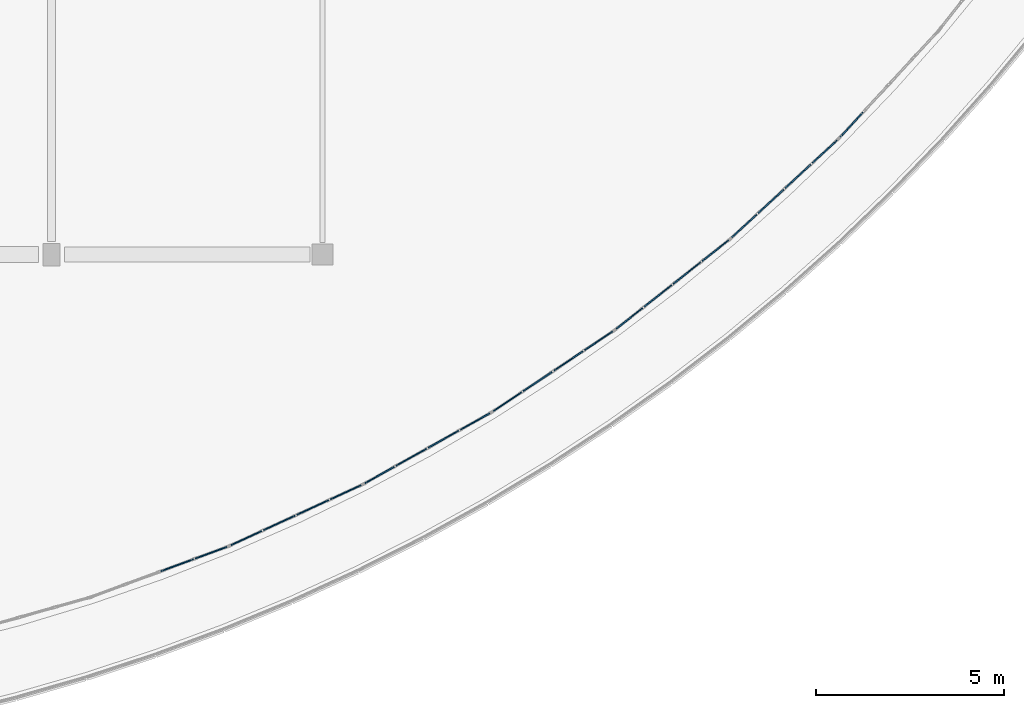
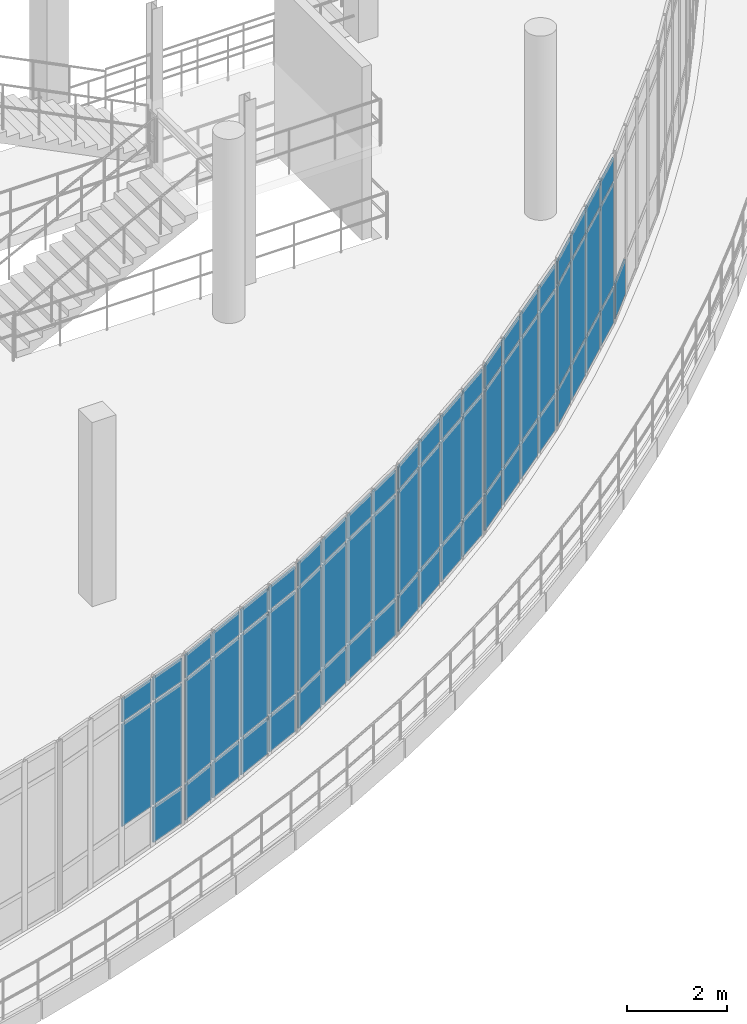
# One storey, part 95 of 134: 66 plates, 7 elements without a shape of their own.
"""IFC4 building model written with IfcOpenShell, lengths in metres."""

import ifcopenshell
import ifcopenshell.guid

model = None  # the IFC model being written
_history = None  # IfcOwnerHistory: only IFC2X3 demands one
_inside = {}  # id of a spatial element -> (the spatial element, [elements in it])
_under = {}  # id of a project, library or spatial element -> (it, [spatial elements below it])
_declared = {}  # id of a project -> (the project, [libraries it declares])
_typed = {}  # id of a type object -> (the type object, [elements of that type])
_made_of = {}  # id of a material, layer set ... -> (it, [elements and type objects made of it])


def new_model(schema):
    """Start an empty IFC model of exactly this schema.

    Asked for "IFC4X3", IfcOpenShell would pick the latest addendum, in which some entities
    have other attributes; the version numbers below select the first issue.
    IFC2X3 requires an IfcOwnerHistory on every rooted entity: one is made here for all.
    """
    global model, _history
    if schema == "IFC4X3":
        model = ifcopenshell.file(schema_version=(4, 3, 0, 0))
    else:
        model = ifcopenshell.file(schema=schema)
    _inside.clear()
    _under.clear()
    _declared.clear()
    _typed.clear()
    _made_of.clear()
    _history = None
    if model.schema == "IFC2X3":
        org = make("IfcOrganization", Name="unknown")
        user = make(
            "IfcPersonAndOrganization",
            ThePerson=make("IfcPerson", FamilyName="unknown"),
            TheOrganization=org,
        )
        app = make(
            "IfcApplication",
            ApplicationDeveloper=org,
            Version="unknown",
            ApplicationFullName="unknown",
            ApplicationIdentifier="unknown",
        )
        _history = make(
            "IfcOwnerHistory",
            OwningUser=user,
            OwningApplication=app,
            ChangeAction="ADDED",
            CreationDate=0,
        )
    return model


def make(cls, **values):
    """One entity of the class cls with the attributes given. An attribute that is None is left unset."""
    return model.create_entity(
        cls, **{name: value for name, value in values.items() if value is not None}
    )


def rooted(cls, **values):
    """An entity with a GlobalId (a new one), such as an element, a storey or a relation."""
    return make(cls, GlobalId=ifcopenshell.guid.new(), OwnerHistory=_history, **values)


def si_unit(unit_type, name, prefix=None):
    """IfcSIUnit, for example si_unit("LENGTHUNIT", "METRE", prefix="MILLI")."""
    return make("IfcSIUnit", UnitType=unit_type, Prefix=prefix, Name=name)


def assignment(units):
    """IfcUnitAssignment: the units of a project."""
    return None if units is None else make("IfcUnitAssignment", Units=units)


def point(xyz):
    """IfcCartesianPoint."""
    return None if xyz is None else make("IfcCartesianPoint", Coordinates=xyz)


def direction(xyz):
    """IfcDirection."""
    return None if xyz is None else make("IfcDirection", DirectionRatios=xyz)


def frame(location, z_axis=None, x_axis=None):
    """IfcAxis2Placement3D, a coordinate frame: its origin and axes. An axis left out is left unset."""
    return make(
        "IfcAxis2Placement3D",
        Location=point(location),
        Axis=direction(z_axis),
        RefDirection=direction(x_axis),
    )


def frame_2d(location, x_axis=None):
    """IfcAxis2Placement2D, a coordinate frame in the plane: its origin and x axis."""
    return make(
        "IfcAxis2Placement2D", Location=point(location), RefDirection=direction(x_axis)
    )


def origin():
    """The frame at (0, 0, 0) with its axes left unset."""
    return frame((0.0, 0.0, 0.0))


def origin_2d():
    """The frame at (0, 0) in the plane with its x axis left unset."""
    return frame_2d((0.0, 0.0))


def place(relative_to, where):
    """IfcLocalPlacement: puts the frame where relative to a parent placement (None: the world)."""
    return make(
        "IfcLocalPlacement", PlacementRelTo=relative_to, RelativePlacement=where
    )


def context(
    kind, dimensions, precision=None, world=None, true_north=None, identifier=None
):
    """IfcGeometricRepresentationContext, for example the 3D "Model" context."""
    return make(
        "IfcGeometricRepresentationContext",
        ContextIdentifier=identifier,
        ContextType=kind,
        CoordinateSpaceDimension=dimensions,
        Precision=precision,
        WorldCoordinateSystem=world,
        TrueNorth=true_north,
    )


def subcontext(parent, identifier, kind, view, scale=None):
    """IfcGeometricRepresentationSubContext, for example "Body" below "Model"."""
    return make(
        "IfcGeometricRepresentationSubContext",
        ContextIdentifier=identifier,
        ContextType=kind,
        ParentContext=parent,
        TargetScale=scale,
        TargetView=view,
    )


def project(units=None, contexts=None):
    """IfcProject with its units and contexts."""
    return rooted(
        "IfcProject",
        Name="project",
        RepresentationContexts=contexts,
        UnitsInContext=assignment(units),
    )


def spatial(cls, under=None, at=None, **own):
    """A site, building, storey or space (cls), placed at a placement, below another one or the project."""
    s = rooted(cls, ObjectPlacement=at, **own)
    if under is not None:
        _under.setdefault(under.id(), (under, []))[1].append(s)
    return s


def profile(cls, at=None, kind="AREA", **sizes):
    """A parametric profile (cls). Its sizes go by their IFC names, for example OverallWidth=200.0."""
    return make(cls, ProfileType=kind, Position=at, **sizes)


def rectangle(**sizes):
    """IfcRectangleProfileDef."""
    return profile("IfcRectangleProfileDef", **sizes)


def extrude(swept, where, along, depth):
    """IfcExtrudedAreaSolid: the profile swept, set in the frame where, extruded along a direction by depth."""
    return make(
        "IfcExtrudedAreaSolid",
        SweptArea=swept,
        Position=where,
        ExtrudedDirection=direction(along),
        Depth=depth,
    )


def shape(context_of_items, identifier, shape_type, items):
    """IfcShapeRepresentation: the items that make up one representation, for example the "Body"."""
    return make(
        "IfcShapeRepresentation",
        ContextOfItems=context_of_items,
        RepresentationIdentifier=identifier,
        RepresentationType=shape_type,
        Items=items,
    )


def material(Name=None, Category=None):
    """IfcMaterial."""
    return make("IfcMaterial", Name=Name, Category=Category)


def layer(
    of_material, thickness, ventilated=None, Name=None, Category=None, Priority=None
):
    """IfcMaterialLayer: one layer of a wall or slab, of a material (None: an air gap)."""
    return make(
        "IfcMaterialLayer",
        Material=of_material,
        LayerThickness=thickness,
        IsVentilated=ventilated,
        Name=Name,
        Category=Category,
        Priority=Priority,
    )


def layer_set(layers, Name=None):
    """IfcMaterialLayerSet."""
    return make("IfcMaterialLayerSet", MaterialLayers=layers, LayerSetName=Name)


def made_of(thing, what):
    """Note that an element or type object is made of a material, layer set ...; save() writes the relation."""
    if what is not None:
        _made_of.setdefault(what.id(), (what, []))[1].append(thing)
    return thing


def type_object(cls, material=None, **own):
    """A type object (cls), such as IfcWallType, which elements share."""
    return made_of(rooted(cls, **own), material)


def element(
    cls,
    number,
    at=None,
    inside=None,
    cuts=None,
    type_object=None,
    material=None,
    context=None,
    identifier="Body",
    shape_type=None,
    held_by="IfcProductDefinitionShape",
    body=None,
    shapes=None,
    **own,
):
    """One element of the class cls, such as IfcWall. Its Tag is "e" and its number.

    at: its placement. inside: the storey or other place that contains it. cuts: it is an
    opening in that element (IfcRelVoidsElement). A single representation is given by context,
    identifier, shape_type and body (its items); several are given by shapes. held_by: the class
    of the entity that holds the representations. save() writes the other relations.
    """
    e = rooted(cls, Tag="e%d" % number, ObjectPlacement=at, **own)
    if body is not None:
        shapes = [shape(context, identifier, shape_type, body)]
    if shapes is not None:
        e.Representation = make(held_by, Representations=shapes)
    if inside is not None:
        _inside.setdefault(inside.id(), (inside, []))[1].append(e)
    if cuts is not None:
        rooted(
            "IfcRelVoidsElement", RelatingBuildingElement=cuts, RelatedOpeningElement=e
        )
    if type_object is not None:
        _typed.setdefault(type_object.id(), (type_object, []))[1].append(e)
    return made_of(e, material)


def aggregate(whole, parts):
    """IfcRelAggregates: a whole, such as a stair, and the parts it consists of."""
    return rooted("IfcRelAggregates", RelatingObject=whole, RelatedObjects=parts)


def save(model, path):
    """Write the relations noted so far, then the file.

    IfcRelAggregates (storeys below a building ...), IfcRelContainedInSpatialStructure (elements
    in a storey), IfcRelDefinesByType, IfcRelAssociatesMaterial and IfcRelDeclares: one each for
    every whole, place, type object, material and project.
    """
    for whole, parts in _under.values():
        aggregate(whole, parts)
    for where, things in _inside.values():
        rooted(
            "IfcRelContainedInSpatialStructure",
            RelatedElements=things,
            RelatingStructure=where,
        )
    for kind, things in _typed.values():
        rooted("IfcRelDefinesByType", RelatedObjects=things, RelatingType=kind)
    for what, things in _made_of.values():
        rooted("IfcRelAssociatesMaterial", RelatedObjects=things, RelatingMaterial=what)
    for by, libraries in _declared.values():
        rooted("IfcRelDeclares", RelatingContext=by, RelatedDefinitions=libraries)
    model.write(path)


model = new_model("IFC4")

# Units and contexts
model_context = context("Model", 3, precision=1e-05, world=origin(), true_north=direction((0.0, 1.0)))
body_context = subcontext(model_context, "Body", "Model", "MODEL_VIEW")
ifc_project = project(units=[si_unit("LENGTHUNIT", "METRE"), si_unit("AREAUNIT", "SQUARE_METRE"), si_unit("VOLUMEUNIT", "CUBIC_METRE"), si_unit("PLANEANGLEUNIT", "RADIAN"), si_unit("MASSUNIT", "GRAM", prefix="KILO")], contexts=[model_context])

# Site, building, storey
site_placement = place(None, origin())
site = spatial("IfcSite", under=ifc_project, at=site_placement, CompositionType="ELEMENT")
building_placement = place(site_placement, origin())
building = spatial("IfcBuilding", under=site, at=building_placement, Name="Kalluvel Institute of Natural Sciences", CompositionType="ELEMENT")
storey_placement = place(building_placement, frame((0.0, 0.0, 5.39990234375)))
storey = spatial("IfcBuildingStorey", under=building, at=storey_placement, Name="L01", CompositionType="ELEMENT", Elevation=5.39990234375)

# Curtain wall, plates
ifc_material_1 = material(Name="Aluminium AW-6063 T6", Category="aluminium")
curtain_wall_type = type_object("IfcCurtainWallType", Name="CW-ATR-ARC", PredefinedType="USERDEFINED", material=ifc_material_1)
curtain_wall_1_placement = place(storey_placement, origin())
curtain_wall_1 = element("IfcCurtainWall", 1, at=curtain_wall_1_placement, inside=storey, type_object=curtain_wall_type, Name="L01 Gothic lancet curtain wall CWA-L01-X510-Y553", ObjectType="UNITISED LANCET FACADE", PredefinedType="USERDEFINED")
ifc_material_2 = material(Name="Solar-Control Low-E Laminated Glass", Category="glass")
ifc_layer = layer(ifc_material_2, 0.035888671875)
ifc_layer_set = layer_set([ifc_layer], Name="Solar-Control Low-E Laminated Glass")
plate_type = type_object("IfcPlateType", Name="CWP-DGU-36", PredefinedType="CURTAIN_PANEL", material=ifc_layer_set)
plate_1_placement = place(storey_placement, frame((53.335205078125, 56.14306640625, 0.97998046875), z_axis=(0.0, 0.0, 1.0), x_axis=(0.938189357766, 0.346122419058, 0.0)))
plate_1 = element("IfcPlate", 2, at=plate_1_placement, type_object=plate_type, Name="CW-05 panel 3.2", PredefinedType="CURTAIN_PANEL", context=body_context, shape_type="SweptSolid", body=[
    extrude(rectangle(XDim=0.92041015625, YDim=0.035888671875, at=origin_2d()), origin(), (0.0, 0.0, 1.0), 2.489990234375),
])
plate_2_placement = place(storey_placement, frame((53.335205078125, 56.14306640625, 3.530029296875), z_axis=(0.0, 0.0, 1.0), x_axis=(0.938189357766, 0.346122419058, 0.0)))
plate_2 = element("IfcPlate", 3, at=plate_2_placement, type_object=plate_type, Name="CW-05 panel 3.3", PredefinedType="CURTAIN_PANEL", context=body_context, shape_type="SweptSolid", body=[
    extrude(rectangle(XDim=0.92041015625, YDim=0.035888671875, at=origin_2d()), origin(), (0.0, 0.0, 1.0), 0.56005859375),
])
plate_3_placement = place(storey_placement, frame((54.240966796875, 56.477294921875, 0.06005859375), z_axis=(0.0, 0.0, 1.0), x_axis=(0.938189357766, 0.346122419058, 0.0)))
plate_3 = element("IfcPlate", 4, at=plate_3_placement, type_object=plate_type, Name="CW-05 panel 4.1", PredefinedType="CURTAIN_PANEL", context=body_context, shape_type="SweptSolid", body=[
    extrude(rectangle(XDim=0.890625, YDim=0.035888671875, at=origin_2d()), origin(), (0.0, 0.0, 1.0), 0.860107421875),
])
plate_4_placement = place(storey_placement, frame((54.240966796875, 56.477294921875, 0.97998046875), z_axis=(0.0, 0.0, 1.0), x_axis=(0.938189357766, 0.346122419058, 0.0)))
plate_4 = element("IfcPlate", 5, at=plate_4_placement, type_object=plate_type, Name="CW-05 panel 4.2", PredefinedType="CURTAIN_PANEL", context=body_context, shape_type="SweptSolid", body=[
    extrude(rectangle(XDim=0.890625, YDim=0.035888671875, at=origin_2d()), origin(), (0.0, 0.0, 1.0), 2.489990234375),
])
plate_5_placement = place(storey_placement, frame((54.240966796875, 56.477294921875, 3.530029296875), z_axis=(0.0, 0.0, 1.0), x_axis=(0.938189357766, 0.346122419058, 0.0)))
plate_5 = element("IfcPlate", 6, at=plate_5_placement, type_object=plate_type, Name="CW-05 panel 4.3", PredefinedType="CURTAIN_PANEL", context=body_context, shape_type="SweptSolid", body=[
    extrude(rectangle(XDim=0.890625, YDim=0.035888671875, at=origin_2d()), origin(), (0.0, 0.0, 1.0), 0.56005859375),
])
aggregate(curtain_wall_1, [plate_1, plate_2, plate_3, plate_4, plate_5])

curtain_wall_2_placement = place(storey_placement, origin())
curtain_wall_2 = element("IfcCurtainWall", 7, at=curtain_wall_2_placement, inside=storey, type_object=curtain_wall_type, Name="L01 Gothic lancet curtain wall CWA-L01-X547-Y567", ObjectType="UNITISED LANCET FACADE", PredefinedType="USERDEFINED")
plate_6_placement = place(storey_placement, frame((55.173828125, 56.86376953125, 0.06005859375), z_axis=(0.0, 0.0, 1.0), x_axis=(0.908144365277, 0.418657153068, 0.0)))
plate_6 = element("IfcPlate", 8, at=plate_6_placement, type_object=plate_type, Name="CW-05 panel 1.1", PredefinedType="CURTAIN_PANEL", context=body_context, shape_type="SweptSolid", body=[
    extrude(rectangle(XDim=0.890625, YDim=0.035888671875, at=origin_2d()), origin(), (0.0, 0.0, 1.0), 0.860107421875),
])
plate_7_placement = place(storey_placement, frame((55.173828125, 56.86376953125, 0.97998046875), z_axis=(0.0, 0.0, 1.0), x_axis=(0.908144365277, 0.418657153068, 0.0)))
plate_7 = element("IfcPlate", 9, at=plate_7_placement, type_object=plate_type, Name="CW-05 panel 1.2", PredefinedType="CURTAIN_PANEL", context=body_context, shape_type="SweptSolid", body=[
    extrude(rectangle(XDim=0.890625, YDim=0.035888671875, at=origin_2d()), origin(), (0.0, 0.0, 1.0), 2.489990234375),
])
plate_8_placement = place(storey_placement, frame((55.173828125, 56.86376953125, 3.530029296875), z_axis=(0.0, 0.0, 1.0), x_axis=(0.908144365277, 0.418657153068, 0.0)))
plate_8 = element("IfcPlate", 10, at=plate_8_placement, type_object=plate_type, Name="CW-05 panel 1.3", PredefinedType="CURTAIN_PANEL", context=body_context, shape_type="SweptSolid", body=[
    extrude(rectangle(XDim=0.890625, YDim=0.035888671875, at=origin_2d()), origin(), (0.0, 0.0, 1.0), 0.56005859375),
])
plate_9_placement = place(storey_placement, frame((56.05078125, 57.26806640625, 0.06005859375), z_axis=(0.0, 0.0, 1.0), x_axis=(0.908144365277, 0.418657153068, 0.0)))
plate_9 = element("IfcPlate", 11, at=plate_9_placement, type_object=plate_type, Name="CW-05 panel 2.1", PredefinedType="CURTAIN_PANEL", context=body_context, shape_type="SweptSolid", body=[
    extrude(rectangle(XDim=0.92041015625, YDim=0.035888671875, at=origin_2d()), origin(), (0.0, 0.0, 1.0), 0.860107421875),
])
plate_10_placement = place(storey_placement, frame((56.05078125, 57.26806640625, 0.97998046875), z_axis=(0.0, 0.0, 1.0), x_axis=(0.908144365277, 0.418657153068, 0.0)))
plate_10 = element("IfcPlate", 12, at=plate_10_placement, type_object=plate_type, Name="CW-05 panel 2.2", PredefinedType="CURTAIN_PANEL", context=body_context, shape_type="SweptSolid", body=[
    extrude(rectangle(XDim=0.92041015625, YDim=0.035888671875, at=origin_2d()), origin(), (0.0, 0.0, 1.0), 2.489990234375),
])
plate_11_placement = place(storey_placement, frame((56.05078125, 57.26806640625, 3.530029296875), z_axis=(0.0, 0.0, 1.0), x_axis=(0.908144365277, 0.418657153068, 0.0)))
plate_11 = element("IfcPlate", 13, at=plate_11_placement, type_object=plate_type, Name="CW-05 panel 2.3", PredefinedType="CURTAIN_PANEL", context=body_context, shape_type="SweptSolid", body=[
    extrude(rectangle(XDim=0.92041015625, YDim=0.035888671875, at=origin_2d()), origin(), (0.0, 0.0, 1.0), 0.56005859375),
])
plate_12_placement = place(storey_placement, frame((56.941162109375, 57.678466796875, 0.06005859375), z_axis=(0.0, 0.0, 1.0), x_axis=(0.908144365277, 0.418657153068, 0.0)))
plate_12 = element("IfcPlate", 14, at=plate_12_placement, type_object=plate_type, Name="CW-05 panel 3.1", PredefinedType="CURTAIN_PANEL", context=body_context, shape_type="SweptSolid", body=[
    extrude(rectangle(XDim=0.92041015625, YDim=0.035888671875, at=origin_2d()), origin(), (0.0, 0.0, 1.0), 0.860107421875),
])
plate_13_placement = place(storey_placement, frame((56.941162109375, 57.678466796875, 0.97998046875), z_axis=(0.0, 0.0, 1.0), x_axis=(0.908144365277, 0.418657153068, 0.0)))
plate_13 = element("IfcPlate", 15, at=plate_13_placement, type_object=plate_type, Name="CW-05 panel 3.2", PredefinedType="CURTAIN_PANEL", context=body_context, shape_type="SweptSolid", body=[
    extrude(rectangle(XDim=0.92041015625, YDim=0.035888671875, at=origin_2d()), origin(), (0.0, 0.0, 1.0), 2.489990234375),
])
plate_14_placement = place(storey_placement, frame((56.941162109375, 57.678466796875, 3.530029296875), z_axis=(0.0, 0.0, 1.0), x_axis=(0.908144365277, 0.418657153068, 0.0)))
plate_14 = element("IfcPlate", 16, at=plate_14_placement, type_object=plate_type, Name="CW-05 panel 3.3", PredefinedType="CURTAIN_PANEL", context=body_context, shape_type="SweptSolid", body=[
    extrude(rectangle(XDim=0.92041015625, YDim=0.035888671875, at=origin_2d()), origin(), (0.0, 0.0, 1.0), 0.56005859375),
])
plate_15_placement = place(storey_placement, frame((57.81787109375, 58.082763671875, 0.06005859375), z_axis=(0.0, 0.0, 1.0), x_axis=(0.908144365277, 0.418657153068, 0.0)))
plate_15 = element("IfcPlate", 17, at=plate_15_placement, type_object=plate_type, Name="CW-05 panel 4.1", PredefinedType="CURTAIN_PANEL", context=body_context, shape_type="SweptSolid", body=[
    extrude(rectangle(XDim=0.890625, YDim=0.035888671875, at=origin_2d()), origin(), (0.0, 0.0, 1.0), 0.860107421875),
])
plate_16_placement = place(storey_placement, frame((57.81787109375, 58.082763671875, 0.97998046875), z_axis=(0.0, 0.0, 1.0), x_axis=(0.908144365277, 0.418657153068, 0.0)))
plate_16 = element("IfcPlate", 18, at=plate_16_placement, type_object=plate_type, Name="CW-05 panel 4.2", PredefinedType="CURTAIN_PANEL", context=body_context, shape_type="SweptSolid", body=[
    extrude(rectangle(XDim=0.890625, YDim=0.035888671875, at=origin_2d()), origin(), (0.0, 0.0, 1.0), 2.489990234375),
])
plate_17_placement = place(storey_placement, frame((57.81787109375, 58.082763671875, 3.530029296875), z_axis=(0.0, 0.0, 1.0), x_axis=(0.908144365277, 0.418657153068, 0.0)))
plate_17 = element("IfcPlate", 19, at=plate_17_placement, type_object=plate_type, Name="CW-05 panel 4.3", PredefinedType="CURTAIN_PANEL", context=body_context, shape_type="SweptSolid", body=[
    extrude(rectangle(XDim=0.890625, YDim=0.035888671875, at=origin_2d()), origin(), (0.0, 0.0, 1.0), 0.56005859375),
])
aggregate(curtain_wall_2, [plate_6, plate_7, plate_8, plate_9, plate_10, plate_11, plate_12, plate_13, plate_14, plate_15, plate_16, plate_17])

curtain_wall_3_placement = place(storey_placement, origin())
curtain_wall_3 = element("IfcCurtainWall", 20, at=curtain_wall_3_placement, inside=storey, type_object=curtain_wall_type, Name="L01 Gothic lancet curtain wall CWA-L01-X583-Y583", ObjectType="UNITISED LANCET FACADE", PredefinedType="USERDEFINED")
plate_18_placement = place(storey_placement, frame((58.717529296875, 58.541015625, 0.06005859375), z_axis=(0.0, 0.0, 1.0), x_axis=(0.872497320227, 0.488618896684, 0.0)))
plate_18 = element("IfcPlate", 21, at=plate_18_placement, type_object=plate_type, Name="CW-05 panel 1.1", PredefinedType="CURTAIN_PANEL", context=body_context, shape_type="SweptSolid", body=[
    extrude(rectangle(XDim=0.890625, YDim=0.035888671875, at=origin_2d()), origin(), (0.0, 0.0, 1.0), 0.860107421875),
])
plate_19_placement = place(storey_placement, frame((58.717529296875, 58.541015625, 0.97998046875), z_axis=(0.0, 0.0, 1.0), x_axis=(0.872497320227, 0.488618896684, 0.0)))
plate_19 = element("IfcPlate", 22, at=plate_19_placement, type_object=plate_type, Name="CW-05 panel 1.2", PredefinedType="CURTAIN_PANEL", context=body_context, shape_type="SweptSolid", body=[
    extrude(rectangle(XDim=0.890625, YDim=0.035888671875, at=origin_2d()), origin(), (0.0, 0.0, 1.0), 2.489990234375),
])
plate_20_placement = place(storey_placement, frame((58.717529296875, 58.541015625, 3.530029296875), z_axis=(0.0, 0.0, 1.0), x_axis=(0.872497320227, 0.488618896684, 0.0)))
plate_20 = element("IfcPlate", 23, at=plate_20_placement, type_object=plate_type, Name="CW-05 panel 1.3", PredefinedType="CURTAIN_PANEL", context=body_context, shape_type="SweptSolid", body=[
    extrude(rectangle(XDim=0.890625, YDim=0.035888671875, at=origin_2d()), origin(), (0.0, 0.0, 1.0), 0.56005859375),
])
plate_21_placement = place(storey_placement, frame((59.56005859375, 59.012939453125, 0.06005859375), z_axis=(0.0, 0.0, 1.0), x_axis=(0.872497320227, 0.488618896684, 0.0)))
plate_21 = element("IfcPlate", 24, at=plate_21_placement, type_object=plate_type, Name="CW-05 panel 2.1", PredefinedType="CURTAIN_PANEL", context=body_context, shape_type="SweptSolid", body=[
    extrude(rectangle(XDim=0.92041015625, YDim=0.035888671875, at=origin_2d()), origin(), (0.0, 0.0, 1.0), 0.860107421875),
])
plate_22_placement = place(storey_placement, frame((59.56005859375, 59.012939453125, 0.97998046875), z_axis=(0.0, 0.0, 1.0), x_axis=(0.872497320227, 0.488618896684, 0.0)))
plate_22 = element("IfcPlate", 25, at=plate_22_placement, type_object=plate_type, Name="CW-05 panel 2.2", PredefinedType="CURTAIN_PANEL", context=body_context, shape_type="SweptSolid", body=[
    extrude(rectangle(XDim=0.92041015625, YDim=0.035888671875, at=origin_2d()), origin(), (0.0, 0.0, 1.0), 2.489990234375),
])
plate_23_placement = place(storey_placement, frame((59.56005859375, 59.012939453125, 3.530029296875), z_axis=(0.0, 0.0, 1.0), x_axis=(0.872497320227, 0.488618896684, 0.0)))
plate_23 = element("IfcPlate", 26, at=plate_23_placement, type_object=plate_type, Name="CW-05 panel 2.3", PredefinedType="CURTAIN_PANEL", context=body_context, shape_type="SweptSolid", body=[
    extrude(rectangle(XDim=0.92041015625, YDim=0.035888671875, at=origin_2d()), origin(), (0.0, 0.0, 1.0), 0.56005859375),
])
plate_24_placement = place(storey_placement, frame((60.41552734375, 59.491943359375, 0.06005859375), z_axis=(0.0, 0.0, 1.0), x_axis=(0.872497320227, 0.488618896684, 0.0)))
plate_24 = element("IfcPlate", 27, at=plate_24_placement, type_object=plate_type, Name="CW-05 panel 3.1", PredefinedType="CURTAIN_PANEL", context=body_context, shape_type="SweptSolid", body=[
    extrude(rectangle(XDim=0.92041015625, YDim=0.035888671875, at=origin_2d()), origin(), (0.0, 0.0, 1.0), 0.860107421875),
])
plate_25_placement = place(storey_placement, frame((60.41552734375, 59.491943359375, 0.97998046875), z_axis=(0.0, 0.0, 1.0), x_axis=(0.872497320227, 0.488618896684, 0.0)))
plate_25 = element("IfcPlate", 28, at=plate_25_placement, type_object=plate_type, Name="CW-05 panel 3.2", PredefinedType="CURTAIN_PANEL", context=body_context, shape_type="SweptSolid", body=[
    extrude(rectangle(XDim=0.92041015625, YDim=0.035888671875, at=origin_2d()), origin(), (0.0, 0.0, 1.0), 2.489990234375),
])
plate_26_placement = place(storey_placement, frame((60.41552734375, 59.491943359375, 3.530029296875), z_axis=(0.0, 0.0, 1.0), x_axis=(0.872497320227, 0.488618896684, 0.0)))
plate_26 = element("IfcPlate", 29, at=plate_26_placement, type_object=plate_type, Name="CW-05 panel 3.3", PredefinedType="CURTAIN_PANEL", context=body_context, shape_type="SweptSolid", body=[
    extrude(rectangle(XDim=0.92041015625, YDim=0.035888671875, at=origin_2d()), origin(), (0.0, 0.0, 1.0), 0.56005859375),
])
plate_27_placement = place(storey_placement, frame((61.258056640625, 59.963623046875, 0.06005859375), z_axis=(0.0, 0.0, 1.0), x_axis=(0.872497320227, 0.488618896684, 0.0)))
plate_27 = element("IfcPlate", 30, at=plate_27_placement, type_object=plate_type, Name="CW-05 panel 4.1", PredefinedType="CURTAIN_PANEL", context=body_context, shape_type="SweptSolid", body=[
    extrude(rectangle(XDim=0.890625, YDim=0.035888671875, at=origin_2d()), origin(), (0.0, 0.0, 1.0), 0.860107421875),
])
plate_28_placement = place(storey_placement, frame((61.258056640625, 59.963623046875, 0.97998046875), z_axis=(0.0, 0.0, 1.0), x_axis=(0.872497320227, 0.488618896684, 0.0)))
plate_28 = element("IfcPlate", 31, at=plate_28_placement, type_object=plate_type, Name="CW-05 panel 4.2", PredefinedType="CURTAIN_PANEL", context=body_context, shape_type="SweptSolid", body=[
    extrude(rectangle(XDim=0.890625, YDim=0.035888671875, at=origin_2d()), origin(), (0.0, 0.0, 1.0), 2.489990234375),
])
plate_29_placement = place(storey_placement, frame((61.258056640625, 59.963623046875, 3.530029296875), z_axis=(0.0, 0.0, 1.0), x_axis=(0.872497320227, 0.488618896684, 0.0)))
plate_29 = element("IfcPlate", 32, at=plate_29_placement, type_object=plate_type, Name="CW-05 panel 4.3", PredefinedType="CURTAIN_PANEL", context=body_context, shape_type="SweptSolid", body=[
    extrude(rectangle(XDim=0.890625, YDim=0.035888671875, at=origin_2d()), origin(), (0.0, 0.0, 1.0), 0.56005859375),
])
aggregate(curtain_wall_3, [plate_18, plate_19, plate_20, plate_21, plate_22, plate_23, plate_24, plate_25, plate_26, plate_27, plate_28, plate_29])

curtain_wall_4_placement = place(storey_placement, origin())
curtain_wall_4 = element("IfcCurtainWall", 33, at=curtain_wall_4_placement, inside=storey, type_object=curtain_wall_type, Name="L01 Gothic lancet curtain wall CWA-L01-X617-Y602", ObjectType="UNITISED LANCET FACADE", PredefinedType="USERDEFINED")
plate_30_placement = place(storey_placement, frame((62.118896484375, 60.4912109375, 0.06005859375), z_axis=(0.0, 0.0, 1.0), x_axis=(0.831469300908, 0.555570699054, 0.0)))
plate_30 = element("IfcPlate", 34, at=plate_30_placement, type_object=plate_type, Name="CW-05 panel 1.1", PredefinedType="CURTAIN_PANEL", context=body_context, shape_type="SweptSolid", body=[
    extrude(rectangle(XDim=0.890625, YDim=0.035888671875, at=origin_2d()), origin(), (0.0, 0.0, 1.0), 0.860107421875),
])
plate_31_placement = place(storey_placement, frame((62.118896484375, 60.4912109375, 0.97998046875), z_axis=(0.0, 0.0, 1.0), x_axis=(0.831469300908, 0.555570699054, 0.0)))
plate_31 = element("IfcPlate", 35, at=plate_31_placement, type_object=plate_type, Name="CW-05 panel 1.2", PredefinedType="CURTAIN_PANEL", context=body_context, shape_type="SweptSolid", body=[
    extrude(rectangle(XDim=0.890625, YDim=0.035888671875, at=origin_2d()), origin(), (0.0, 0.0, 1.0), 2.489990234375),
])
plate_32_placement = place(storey_placement, frame((62.118896484375, 60.4912109375, 3.530029296875), z_axis=(0.0, 0.0, 1.0), x_axis=(0.831469300908, 0.555570699054, 0.0)))
plate_32 = element("IfcPlate", 36, at=plate_32_placement, type_object=plate_type, Name="CW-05 panel 1.3", PredefinedType="CURTAIN_PANEL", context=body_context, shape_type="SweptSolid", body=[
    extrude(rectangle(XDim=0.890625, YDim=0.035888671875, at=origin_2d()), origin(), (0.0, 0.0, 1.0), 0.56005859375),
])
plate_33_placement = place(storey_placement, frame((62.921630859375, 61.02783203125, 0.06005859375), z_axis=(0.0, 0.0, 1.0), x_axis=(0.831469300908, 0.555570699054, 0.0)))
plate_33 = element("IfcPlate", 37, at=plate_33_placement, type_object=plate_type, Name="CW-05 panel 2.1", PredefinedType="CURTAIN_PANEL", context=body_context, shape_type="SweptSolid", body=[
    extrude(rectangle(XDim=0.92041015625, YDim=0.035888671875, at=origin_2d()), origin(), (0.0, 0.0, 1.0), 0.860107421875),
])
plate_34_placement = place(storey_placement, frame((62.921630859375, 61.02783203125, 0.97998046875), z_axis=(0.0, 0.0, 1.0), x_axis=(0.831469300908, 0.555570699054, 0.0)))
plate_34 = element("IfcPlate", 38, at=plate_34_placement, type_object=plate_type, Name="CW-05 panel 2.2", PredefinedType="CURTAIN_PANEL", context=body_context, shape_type="SweptSolid", body=[
    extrude(rectangle(XDim=0.92041015625, YDim=0.035888671875, at=origin_2d()), origin(), (0.0, 0.0, 1.0), 2.489990234375),
])
plate_35_placement = place(storey_placement, frame((62.921630859375, 61.02783203125, 3.530029296875), z_axis=(0.0, 0.0, 1.0), x_axis=(0.831469300908, 0.555570699054, 0.0)))
plate_35 = element("IfcPlate", 39, at=plate_35_placement, type_object=plate_type, Name="CW-05 panel 2.3", PredefinedType="CURTAIN_PANEL", context=body_context, shape_type="SweptSolid", body=[
    extrude(rectangle(XDim=0.92041015625, YDim=0.035888671875, at=origin_2d()), origin(), (0.0, 0.0, 1.0), 0.56005859375),
])
plate_36_placement = place(storey_placement, frame((63.737060546875, 61.572509765625, 0.06005859375), z_axis=(0.0, 0.0, 1.0), x_axis=(0.831469300908, 0.555570699054, 0.0)))
plate_36 = element("IfcPlate", 40, at=plate_36_placement, type_object=plate_type, Name="CW-05 panel 3.1", PredefinedType="CURTAIN_PANEL", context=body_context, shape_type="SweptSolid", body=[
    extrude(rectangle(XDim=0.92041015625, YDim=0.035888671875, at=origin_2d()), origin(), (0.0, 0.0, 1.0), 0.860107421875),
])
plate_37_placement = place(storey_placement, frame((63.737060546875, 61.572509765625, 0.97998046875), z_axis=(0.0, 0.0, 1.0), x_axis=(0.831469300908, 0.555570699054, 0.0)))
plate_37 = element("IfcPlate", 41, at=plate_37_placement, type_object=plate_type, Name="CW-05 panel 3.2", PredefinedType="CURTAIN_PANEL", context=body_context, shape_type="SweptSolid", body=[
    extrude(rectangle(XDim=0.92041015625, YDim=0.035888671875, at=origin_2d()), origin(), (0.0, 0.0, 1.0), 2.489990234375),
])
plate_38_placement = place(storey_placement, frame((63.737060546875, 61.572509765625, 3.530029296875), z_axis=(0.0, 0.0, 1.0), x_axis=(0.831469300908, 0.555570699054, 0.0)))
plate_38 = element("IfcPlate", 42, at=plate_38_placement, type_object=plate_type, Name="CW-05 panel 3.3", PredefinedType="CURTAIN_PANEL", context=body_context, shape_type="SweptSolid", body=[
    extrude(rectangle(XDim=0.92041015625, YDim=0.035888671875, at=origin_2d()), origin(), (0.0, 0.0, 1.0), 0.56005859375),
])
plate_39_placement = place(storey_placement, frame((64.539794921875, 62.10888671875, 0.06005859375), z_axis=(0.0, 0.0, 1.0), x_axis=(0.831469300908, 0.555570699054, 0.0)))
plate_39 = element("IfcPlate", 43, at=plate_39_placement, type_object=plate_type, Name="CW-05 panel 4.1", PredefinedType="CURTAIN_PANEL", context=body_context, shape_type="SweptSolid", body=[
    extrude(rectangle(XDim=0.890625, YDim=0.035888671875, at=origin_2d()), origin(), (0.0, 0.0, 1.0), 0.860107421875),
])
plate_40_placement = place(storey_placement, frame((64.539794921875, 62.10888671875, 0.97998046875), z_axis=(0.0, 0.0, 1.0), x_axis=(0.831469300908, 0.555570699054, 0.0)))
plate_40 = element("IfcPlate", 44, at=plate_40_placement, type_object=plate_type, Name="CW-05 panel 4.2", PredefinedType="CURTAIN_PANEL", context=body_context, shape_type="SweptSolid", body=[
    extrude(rectangle(XDim=0.890625, YDim=0.035888671875, at=origin_2d()), origin(), (0.0, 0.0, 1.0), 2.489990234375),
])
plate_41_placement = place(storey_placement, frame((64.539794921875, 62.10888671875, 3.530029296875), z_axis=(0.0, 0.0, 1.0), x_axis=(0.831469300908, 0.555570699054, 0.0)))
plate_41 = element("IfcPlate", 45, at=plate_41_placement, type_object=plate_type, Name="CW-05 panel 4.3", PredefinedType="CURTAIN_PANEL", context=body_context, shape_type="SweptSolid", body=[
    extrude(rectangle(XDim=0.890625, YDim=0.035888671875, at=origin_2d()), origin(), (0.0, 0.0, 1.0), 0.56005859375),
])
aggregate(curtain_wall_4, [plate_30, plate_31, plate_32, plate_33, plate_34, plate_35, plate_36, plate_37, plate_38, plate_39, plate_40, plate_41])

curtain_wall_5_placement = place(storey_placement, origin())
curtain_wall_5 = element("IfcCurtainWall", 46, at=curtain_wall_5_placement, inside=storey, type_object=curtain_wall_type, Name="L01 Gothic lancet curtain wall CWA-L01-X650-Y624", ObjectType="UNITISED LANCET FACADE", PredefinedType="USERDEFINED")
plate_42_placement = place(storey_placement, frame((65.356689453125, 62.702392578125, 0.06005859375), z_axis=(0.0, 0.0, 1.0), x_axis=(0.785313982838, 0.619097688866, 0.0)))
plate_42 = element("IfcPlate", 47, at=plate_42_placement, type_object=plate_type, Name="CW-05 panel 1.1", PredefinedType="CURTAIN_PANEL", context=body_context, shape_type="SweptSolid", body=[
    extrude(rectangle(XDim=0.890380859375, YDim=0.035888671875, at=origin_2d()), origin(), (0.0, 0.0, 1.0), 0.860107421875),
])
plate_43_placement = place(storey_placement, frame((65.356689453125, 62.702392578125, 0.97998046875), z_axis=(0.0, 0.0, 1.0), x_axis=(0.785313982838, 0.619097688866, 0.0)))
plate_43 = element("IfcPlate", 48, at=plate_43_placement, type_object=plate_type, Name="CW-05 panel 1.2", PredefinedType="CURTAIN_PANEL", context=body_context, shape_type="SweptSolid", body=[
    extrude(rectangle(XDim=0.890380859375, YDim=0.035888671875, at=origin_2d()), origin(), (0.0, 0.0, 1.0), 2.489990234375),
])
plate_44_placement = place(storey_placement, frame((65.356689453125, 62.702392578125, 3.530029296875), z_axis=(0.0, 0.0, 1.0), x_axis=(0.785313982838, 0.619097688866, 0.0)))
plate_44 = element("IfcPlate", 49, at=plate_44_placement, type_object=plate_type, Name="CW-05 panel 1.3", PredefinedType="CURTAIN_PANEL", context=body_context, shape_type="SweptSolid", body=[
    extrude(rectangle(XDim=0.890380859375, YDim=0.035888671875, at=origin_2d()), origin(), (0.0, 0.0, 1.0), 0.56005859375),
])
plate_45_placement = place(storey_placement, frame((66.114990234375, 63.300048828125, 0.06005859375), z_axis=(0.0, 0.0, 1.0), x_axis=(0.785313982838, 0.619097688866, 0.0)))
plate_45 = element("IfcPlate", 50, at=plate_45_placement, type_object=plate_type, Name="CW-05 panel 2.1", PredefinedType="CURTAIN_PANEL", context=body_context, shape_type="SweptSolid", body=[
    extrude(rectangle(XDim=0.92041015625, YDim=0.035888671875, at=origin_2d()), origin(), (0.0, 0.0, 1.0), 0.860107421875),
])
plate_46_placement = place(storey_placement, frame((66.114990234375, 63.300048828125, 0.97998046875), z_axis=(0.0, 0.0, 1.0), x_axis=(0.785313982838, 0.619097688866, 0.0)))
plate_46 = element("IfcPlate", 51, at=plate_46_placement, type_object=plate_type, Name="CW-05 panel 2.2", PredefinedType="CURTAIN_PANEL", context=body_context, shape_type="SweptSolid", body=[
    extrude(rectangle(XDim=0.92041015625, YDim=0.035888671875, at=origin_2d()), origin(), (0.0, 0.0, 1.0), 2.489990234375),
])
plate_47_placement = place(storey_placement, frame((66.114990234375, 63.300048828125, 3.530029296875), z_axis=(0.0, 0.0, 1.0), x_axis=(0.785313982838, 0.619097688866, 0.0)))
plate_47 = element("IfcPlate", 52, at=plate_47_placement, type_object=plate_type, Name="CW-05 panel 2.3", PredefinedType="CURTAIN_PANEL", context=body_context, shape_type="SweptSolid", body=[
    extrude(rectangle(XDim=0.92041015625, YDim=0.035888671875, at=origin_2d()), origin(), (0.0, 0.0, 1.0), 0.56005859375),
])
plate_48_placement = place(storey_placement, frame((66.885009765625, 63.9072265625, 0.06005859375), z_axis=(0.0, 0.0, 1.0), x_axis=(0.785313982838, 0.619097688866, 0.0)))
plate_48 = element("IfcPlate", 53, at=plate_48_placement, type_object=plate_type, Name="CW-05 panel 3.1", PredefinedType="CURTAIN_PANEL", context=body_context, shape_type="SweptSolid", body=[
    extrude(rectangle(XDim=0.92041015625, YDim=0.035888671875, at=origin_2d()), origin(), (0.0, 0.0, 1.0), 0.860107421875),
])
plate_49_placement = place(storey_placement, frame((66.885009765625, 63.9072265625, 0.97998046875), z_axis=(0.0, 0.0, 1.0), x_axis=(0.785313982838, 0.619097688866, 0.0)))
plate_49 = element("IfcPlate", 54, at=plate_49_placement, type_object=plate_type, Name="CW-05 panel 3.2", PredefinedType="CURTAIN_PANEL", context=body_context, shape_type="SweptSolid", body=[
    extrude(rectangle(XDim=0.92041015625, YDim=0.035888671875, at=origin_2d()), origin(), (0.0, 0.0, 1.0), 2.489990234375),
])
plate_50_placement = place(storey_placement, frame((66.885009765625, 63.9072265625, 3.530029296875), z_axis=(0.0, 0.0, 1.0), x_axis=(0.785313982838, 0.619097688866, 0.0)))
plate_50 = element("IfcPlate", 55, at=plate_50_placement, type_object=plate_type, Name="CW-05 panel 3.3", PredefinedType="CURTAIN_PANEL", context=body_context, shape_type="SweptSolid", body=[
    extrude(rectangle(XDim=0.92041015625, YDim=0.035888671875, at=origin_2d()), origin(), (0.0, 0.0, 1.0), 0.56005859375),
])
plate_51_placement = place(storey_placement, frame((67.64306640625, 64.5048828125, 0.06005859375), z_axis=(0.0, 0.0, 1.0), x_axis=(0.785313982838, 0.619097688866, 0.0)))
plate_51 = element("IfcPlate", 56, at=plate_51_placement, type_object=plate_type, Name="CW-05 panel 4.1", PredefinedType="CURTAIN_PANEL", context=body_context, shape_type="SweptSolid", body=[
    extrude(rectangle(XDim=0.890380859375, YDim=0.035888671875, at=origin_2d()), origin(), (0.0, 0.0, 1.0), 0.860107421875),
])
plate_52_placement = place(storey_placement, frame((67.64306640625, 64.5048828125, 0.97998046875), z_axis=(0.0, 0.0, 1.0), x_axis=(0.785313982838, 0.619097688866, 0.0)))
plate_52 = element("IfcPlate", 57, at=plate_52_placement, type_object=plate_type, Name="CW-05 panel 4.2", PredefinedType="CURTAIN_PANEL", context=body_context, shape_type="SweptSolid", body=[
    extrude(rectangle(XDim=0.890380859375, YDim=0.035888671875, at=origin_2d()), origin(), (0.0, 0.0, 1.0), 2.489990234375),
])
plate_53_placement = place(storey_placement, frame((67.64306640625, 64.5048828125, 3.530029296875), z_axis=(0.0, 0.0, 1.0), x_axis=(0.785313982838, 0.619097688866, 0.0)))
plate_53 = element("IfcPlate", 58, at=plate_53_placement, type_object=plate_type, Name="CW-05 panel 4.3", PredefinedType="CURTAIN_PANEL", context=body_context, shape_type="SweptSolid", body=[
    extrude(rectangle(XDim=0.890380859375, YDim=0.035888671875, at=origin_2d()), origin(), (0.0, 0.0, 1.0), 0.56005859375),
])
aggregate(curtain_wall_5, [plate_42, plate_43, plate_44, plate_45, plate_46, plate_47, plate_48, plate_49, plate_50, plate_51, plate_52, plate_53])

curtain_wall_6_placement = place(storey_placement, origin())
curtain_wall_6 = element("IfcCurtainWall", 59, at=curtain_wall_6_placement, inside=storey, type_object=curtain_wall_type, Name="L01 Gothic lancet curtain wall CWA-L01-X680-Y648", ObjectType="UNITISED LANCET FACADE", PredefinedType="USERDEFINED")
plate_54_placement = place(storey_placement, frame((68.410888671875, 65.16064453125, 0.06005859375), z_axis=(0.0, 0.0, 1.0), x_axis=(0.734327218735, 0.678795651006, 0.0)))
plate_54 = element("IfcPlate", 60, at=plate_54_placement, type_object=plate_type, Name="CW-05 panel 1.1", PredefinedType="CURTAIN_PANEL", context=body_context, shape_type="SweptSolid", body=[
    extrude(rectangle(XDim=0.890625, YDim=0.035888671875, at=origin_2d()), origin(), (0.0, 0.0, 1.0), 0.860107421875),
])
plate_55_placement = place(storey_placement, frame((68.410888671875, 65.16064453125, 0.97998046875), z_axis=(0.0, 0.0, 1.0), x_axis=(0.734327218735, 0.678795651006, 0.0)))
plate_55 = element("IfcPlate", 61, at=plate_55_placement, type_object=plate_type, Name="CW-05 panel 1.2", PredefinedType="CURTAIN_PANEL", context=body_context, shape_type="SweptSolid", body=[
    extrude(rectangle(XDim=0.890625, YDim=0.035888671875, at=origin_2d()), origin(), (0.0, 0.0, 1.0), 2.489990234375),
])
plate_56_placement = place(storey_placement, frame((68.410888671875, 65.16064453125, 3.530029296875), z_axis=(0.0, 0.0, 1.0), x_axis=(0.734327218735, 0.678795651006, 0.0)))
plate_56 = element("IfcPlate", 62, at=plate_56_placement, type_object=plate_type, Name="CW-05 panel 1.3", PredefinedType="CURTAIN_PANEL", context=body_context, shape_type="SweptSolid", body=[
    extrude(rectangle(XDim=0.890625, YDim=0.035888671875, at=origin_2d()), origin(), (0.0, 0.0, 1.0), 0.56005859375),
])
plate_57_placement = place(storey_placement, frame((69.119873046875, 65.816162109375, 0.06005859375), z_axis=(0.0, 0.0, 1.0), x_axis=(0.734327218735, 0.678795651006, 0.0)))
plate_57 = element("IfcPlate", 63, at=plate_57_placement, type_object=plate_type, Name="CW-05 panel 2.1", PredefinedType="CURTAIN_PANEL", context=body_context, shape_type="SweptSolid", body=[
    extrude(rectangle(XDim=0.92041015625, YDim=0.035888671875, at=origin_2d()), origin(), (0.0, 0.0, 1.0), 0.860107421875),
])
plate_58_placement = place(storey_placement, frame((69.119873046875, 65.816162109375, 0.97998046875), z_axis=(0.0, 0.0, 1.0), x_axis=(0.734327218735, 0.678795651006, 0.0)))
plate_58 = element("IfcPlate", 64, at=plate_58_placement, type_object=plate_type, Name="CW-05 panel 2.2", PredefinedType="CURTAIN_PANEL", context=body_context, shape_type="SweptSolid", body=[
    extrude(rectangle(XDim=0.92041015625, YDim=0.035888671875, at=origin_2d()), origin(), (0.0, 0.0, 1.0), 2.489990234375),
])
plate_59_placement = place(storey_placement, frame((69.119873046875, 65.816162109375, 3.530029296875), z_axis=(0.0, 0.0, 1.0), x_axis=(0.734327218735, 0.678795651006, 0.0)))
plate_59 = element("IfcPlate", 65, at=plate_59_placement, type_object=plate_type, Name="CW-05 panel 2.3", PredefinedType="CURTAIN_PANEL", context=body_context, shape_type="SweptSolid", body=[
    extrude(rectangle(XDim=0.92041015625, YDim=0.035888671875, at=origin_2d()), origin(), (0.0, 0.0, 1.0), 0.56005859375),
])
plate_60_placement = place(storey_placement, frame((69.83984375, 66.481689453125, 0.06005859375), z_axis=(0.0, 0.0, 1.0), x_axis=(0.734327218735, 0.678795651006, 0.0)))
plate_60 = element("IfcPlate", 66, at=plate_60_placement, type_object=plate_type, Name="CW-05 panel 3.1", PredefinedType="CURTAIN_PANEL", context=body_context, shape_type="SweptSolid", body=[
    extrude(rectangle(XDim=0.92041015625, YDim=0.035888671875, at=origin_2d()), origin(), (0.0, 0.0, 1.0), 0.860107421875),
])
plate_61_placement = place(storey_placement, frame((69.83984375, 66.481689453125, 0.97998046875), z_axis=(0.0, 0.0, 1.0), x_axis=(0.734327218735, 0.678795651006, 0.0)))
plate_61 = element("IfcPlate", 67, at=plate_61_placement, type_object=plate_type, Name="CW-05 panel 3.2", PredefinedType="CURTAIN_PANEL", context=body_context, shape_type="SweptSolid", body=[
    extrude(rectangle(XDim=0.92041015625, YDim=0.035888671875, at=origin_2d()), origin(), (0.0, 0.0, 1.0), 2.489990234375),
])
plate_62_placement = place(storey_placement, frame((69.83984375, 66.481689453125, 3.530029296875), z_axis=(0.0, 0.0, 1.0), x_axis=(0.734327218735, 0.678795651006, 0.0)))
plate_62 = element("IfcPlate", 68, at=plate_62_placement, type_object=plate_type, Name="CW-05 panel 3.3", PredefinedType="CURTAIN_PANEL", context=body_context, shape_type="SweptSolid", body=[
    extrude(rectangle(XDim=0.92041015625, YDim=0.035888671875, at=origin_2d()), origin(), (0.0, 0.0, 1.0), 0.56005859375),
])
plate_63_placement = place(storey_placement, frame((70.549072265625, 67.136962890625, 0.06005859375), z_axis=(0.0, 0.0, 1.0), x_axis=(0.734327218735, 0.678795651006, 0.0)))
plate_63 = element("IfcPlate", 69, at=plate_63_placement, type_object=plate_type, Name="CW-05 panel 4.1", PredefinedType="CURTAIN_PANEL", context=body_context, shape_type="SweptSolid", body=[
    extrude(rectangle(XDim=0.890625, YDim=0.035888671875, at=origin_2d()), origin(), (0.0, 0.0, 1.0), 0.860107421875),
])
plate_64_placement = place(storey_placement, frame((70.549072265625, 67.136962890625, 0.97998046875), z_axis=(0.0, 0.0, 1.0), x_axis=(0.734327218735, 0.678795651006, 0.0)))
plate_64 = element("IfcPlate", 70, at=plate_64_placement, type_object=plate_type, Name="CW-05 panel 4.2", PredefinedType="CURTAIN_PANEL", context=body_context, shape_type="SweptSolid", body=[
    extrude(rectangle(XDim=0.890625, YDim=0.035888671875, at=origin_2d()), origin(), (0.0, 0.0, 1.0), 2.489990234375),
])
plate_65_placement = place(storey_placement, frame((70.549072265625, 67.136962890625, 3.530029296875), z_axis=(0.0, 0.0, 1.0), x_axis=(0.734327218735, 0.678795651006, 0.0)))
plate_65 = element("IfcPlate", 71, at=plate_65_placement, type_object=plate_type, Name="CW-05 panel 4.3", PredefinedType="CURTAIN_PANEL", context=body_context, shape_type="SweptSolid", body=[
    extrude(rectangle(XDim=0.890625, YDim=0.035888671875, at=origin_2d()), origin(), (0.0, 0.0, 1.0), 0.56005859375),
])
aggregate(curtain_wall_6, [plate_54, plate_55, plate_56, plate_57, plate_58, plate_59, plate_60, plate_61, plate_62, plate_63, plate_64, plate_65])

# Curtain wall, plate
curtain_wall_7_placement = place(storey_placement, origin())
curtain_wall_7 = element("IfcCurtainWall", 72, at=curtain_wall_7_placement, inside=storey, type_object=curtain_wall_type, Name="L01 Gothic lancet curtain wall CWA-L01-X709-Y675", ObjectType="UNITISED LANCET FACADE", PredefinedType="USERDEFINED")
plate_66_placement = place(storey_placement, frame((71.262939453125, 67.85107421875, 0.06005859375), z_axis=(0.0, 0.0, 1.0), x_axis=(0.678795651006, 0.734327218735, 0.0)))
plate_66 = element("IfcPlate", 73, at=plate_66_placement, type_object=plate_type, Name="CW-05 panel 1.1", PredefinedType="CURTAIN_PANEL", context=body_context, shape_type="SweptSolid", body=[
    extrude(rectangle(XDim=0.890625, YDim=0.035888671875, at=origin_2d()), origin(), (0.0, 0.0, 1.0), 0.860107421875),
])
aggregate(curtain_wall_7, [plate_66])

save(model, "model.ifc")
